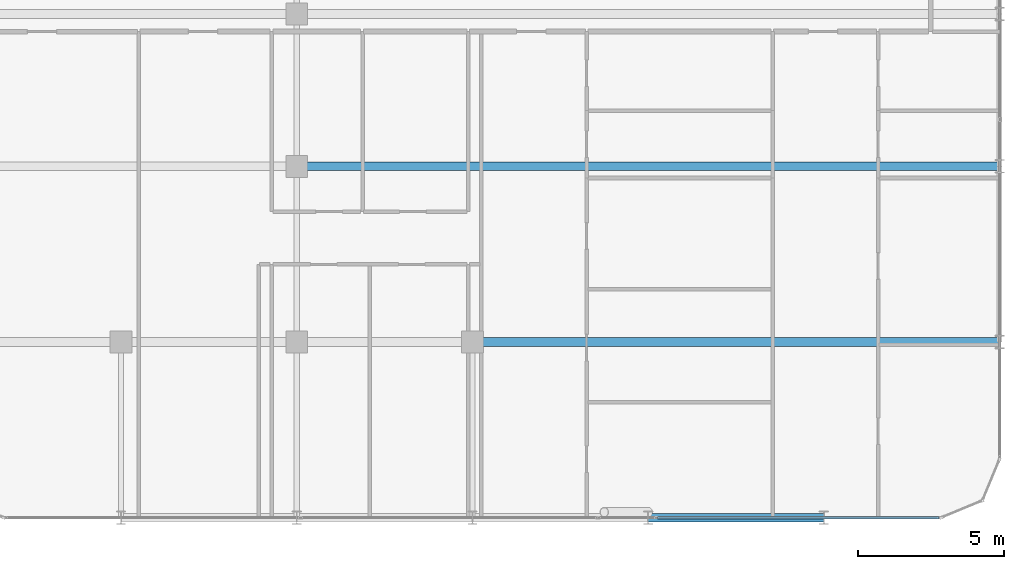
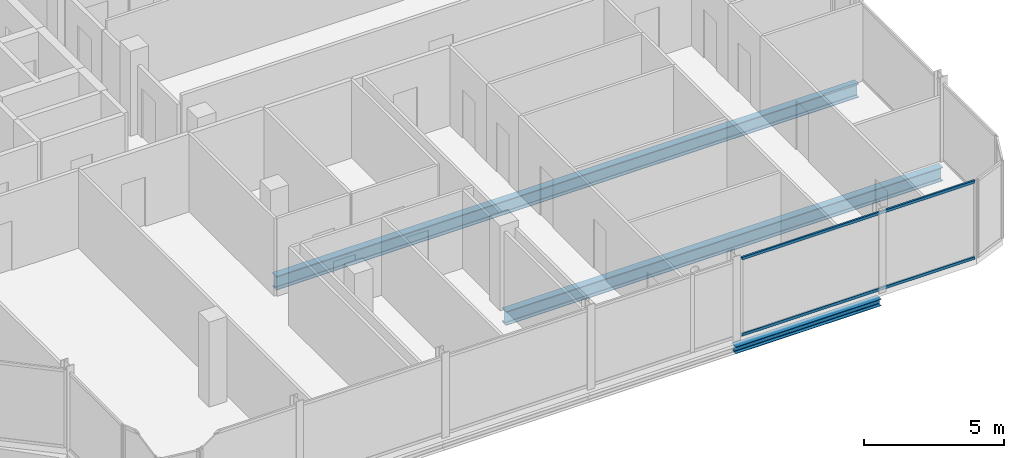
# One storey, part 11 of 29: 3 beams, 2 members, 1 element without a shape of its own.
"""IFC4 building model written with IfcOpenShell, lengths in metres."""

from ifc_helpers import new_model, si_unit, direction, frame, origin, origin_2d, place, context, subcontext, project, spatial, hollow_rectangle, i_section, extrude, material, layer, layer_set, material_profile, profile_set, type_object, element, aggregate, save


model = new_model("IFC4")

# Units and contexts
model_context = context("Model", 3, precision=1e-05, world=origin(), true_north=direction((0.0, 1.0)))
body_context = subcontext(model_context, "Body", "Model", "MODEL_VIEW")
ifc_project = project(units=[si_unit("LENGTHUNIT", "METRE"), si_unit("AREAUNIT", "SQUARE_METRE"), si_unit("VOLUMEUNIT", "CUBIC_METRE"), si_unit("PLANEANGLEUNIT", "RADIAN"), si_unit("MASSUNIT", "GRAM", prefix="KILO")], contexts=[model_context])

# Site, building, storey
site_placement = place(None, origin())
site = spatial("IfcSite", under=ifc_project, at=site_placement, CompositionType="ELEMENT")
building_placement = place(site_placement, origin())
building = spatial("IfcBuilding", under=site, at=building_placement, Name="Keshet Zoharim Tower", CompositionType="ELEMENT")
storey_placement = place(building_placement, frame((0.0, 0.0, 206.89990234375)))
storey = spatial("IfcBuildingStorey", under=building, at=storey_placement, Name="L51", CompositionType="ELEMENT", Elevation=206.89990234375)

# Beams
ifc_material_1 = material(Name="Steel S355", Category="steel")
ifc_material_profile_1 = material_profile(ifc_material_1, i_section(OverallWidth=0.300048828125, OverallDepth=0.60009765625, WebThickness=0.015380859375, FlangeThickness=0.030029296875, FilletRadius=0.027099609375, at=origin_2d()), Name="HEB600")
ifc_profile_set_1 = profile_set([ifc_material_profile_1], Name="Steel S355")
beam_type_1 = type_object("IfcBeamType", Name="BM-LNG-HB600", PredefinedType="BEAM", material=ifc_profile_set_1)
beam_1_placement = place(storey_placement, frame((39.0, 6.699951171875, -0.60986328125), z_axis=(1.0, 0.0, 0.0), x_axis=(0.0, 1.0, 0.0)))
element("IfcBeam", 1, at=beam_1_placement, inside=storey, type_object=beam_type_1, Name="L51 Primary Girder X-008", PredefinedType="BEAM", context=body_context, shape_type="SweptSolid", body=[
    extrude(i_section(OverallWidth=0.300048828125, OverallDepth=0.60009765625, WebThickness=0.015380859375, FlangeThickness=0.030029296875, FilletRadius=0.027099609375, at=origin_2d()), origin(), (0.0, 0.0, 1.0), 18.0),
])
beam_2_placement = place(storey_placement, frame((33.0, 12.699951171875, -0.60986328125), z_axis=(1.0, 0.0, 0.0), x_axis=(0.0, 1.0, 0.0)))
element("IfcBeam", 2, at=beam_2_placement, inside=storey, type_object=beam_type_1, Name="L51 Primary Girder X-010", PredefinedType="BEAM", context=body_context, shape_type="SweptSolid", body=[
    extrude(i_section(OverallWidth=0.300048828125, OverallDepth=0.60009765625, WebThickness=0.015380859375, FlangeThickness=0.030029296875, FilletRadius=0.027099609375, at=origin_2d()), origin(), (0.0, 0.0, 1.0), 24.0),
])
ifc_material_profile_2 = material_profile(ifc_material_1, i_section(OverallWidth=0.300048828125, OverallDepth=0.300048828125, WebThickness=0.010986328125, FlangeThickness=0.01904296875, FilletRadius=0.027099609375, at=origin_2d()), Name="HEB300")
ifc_profile_set_2 = profile_set([ifc_material_profile_2], Name="Steel S355")
beam_type_2 = type_object("IfcBeamType", Name="BM-PRI-HB300", PredefinedType="BEAM", material=ifc_profile_set_2)
beam_3_placement = place(storey_placement, frame((45.0, 0.699951171875, -0.4599609375), z_axis=(1.0, 0.0, 0.0), x_axis=(0.0, 1.0, 0.0)))
element("IfcBeam", 3, at=beam_3_placement, inside=storey, type_object=beam_type_2, Name="L51 Primary Girder X-004", PredefinedType="BEAM", context=body_context, shape_type="SweptSolid", body=[
    extrude(i_section(OverallWidth=0.300048828125, OverallDepth=0.300048828125, WebThickness=0.010986328125, FlangeThickness=0.01904296875, FilletRadius=0.027099609375, at=origin_2d()), origin(), (0.0, 0.0, 1.0), 6.0),
])

# Curtain wall, members
ifc_material_2 = material(Name="Aluminium 6063-T6", Category="aluminium")
ifc_layer = layer(ifc_material_2, 0.139892578125)
ifc_layer_set = layer_set([ifc_layer], Name="Aluminium 6063-T6")
curtain_wall_type = type_object("IfcCurtainWallType", Name="CW-SYS-05", PredefinedType="NOTDEFINED", material=ifc_layer_set)
curtain_wall_placement = place(storey_placement, origin())
curtain_wall = element("IfcCurtainWall", 4, at=curtain_wall_placement, inside=storey, type_object=curtain_wall_type, Name="L51 Unitised Curtain Wall 06", PredefinedType="NOTDEFINED")
ifc_material_profile_3 = material_profile(ifc_material_2, hollow_rectangle(XDim=0.074951171875, YDim=0.1201171875, WallThickness=0.00390625, at=origin_2d()), Name="TRN-75x120")
ifc_profile_set_3 = profile_set([ifc_material_profile_3], Name="Aluminium 6063-T6")
member_type = type_object("IfcMemberType", Name="CWT-T12", PredefinedType="USERDEFINED", material=ifc_profile_set_3)
member_1_placement = place(storey_placement, frame((54.929931640625, 0.699951171875, 0.03515625), z_axis=(-1.0, 0.0, 0.0), x_axis=(0.0, -1.0, 0.0)))
member_1 = element("IfcMember", 5, at=member_1_placement, type_object=member_type, Name="CW-05 transom 1.1", ObjectType="TRANSOM", PredefinedType="USERDEFINED", context=body_context, shape_type="SweptSolid", body=[
    extrude(hollow_rectangle(XDim=0.074951171875, YDim=0.1201171875, WallThickness=0.00390625, at=origin_2d()), origin(), (0.0, 0.0, 1.0), 9.61181640625),
])
member_2_placement = place(storey_placement, frame((54.929931640625, 0.699951171875, 3.35498046875), z_axis=(-1.0, 0.0, 0.0), x_axis=(0.0, -1.0, 0.0)))
member_2 = element("IfcMember", 6, at=member_2_placement, type_object=member_type, Name="CW-05 transom 1.2", ObjectType="TRANSOM", PredefinedType="USERDEFINED", context=body_context, shape_type="SweptSolid", body=[
    extrude(hollow_rectangle(XDim=0.074951171875, YDim=0.1201171875, WallThickness=0.00390625, at=origin_2d()), origin(), (0.0, 0.0, 1.0), 9.61181640625),
])
aggregate(curtain_wall, [member_1, member_2])

save(model, "model.ifc")
